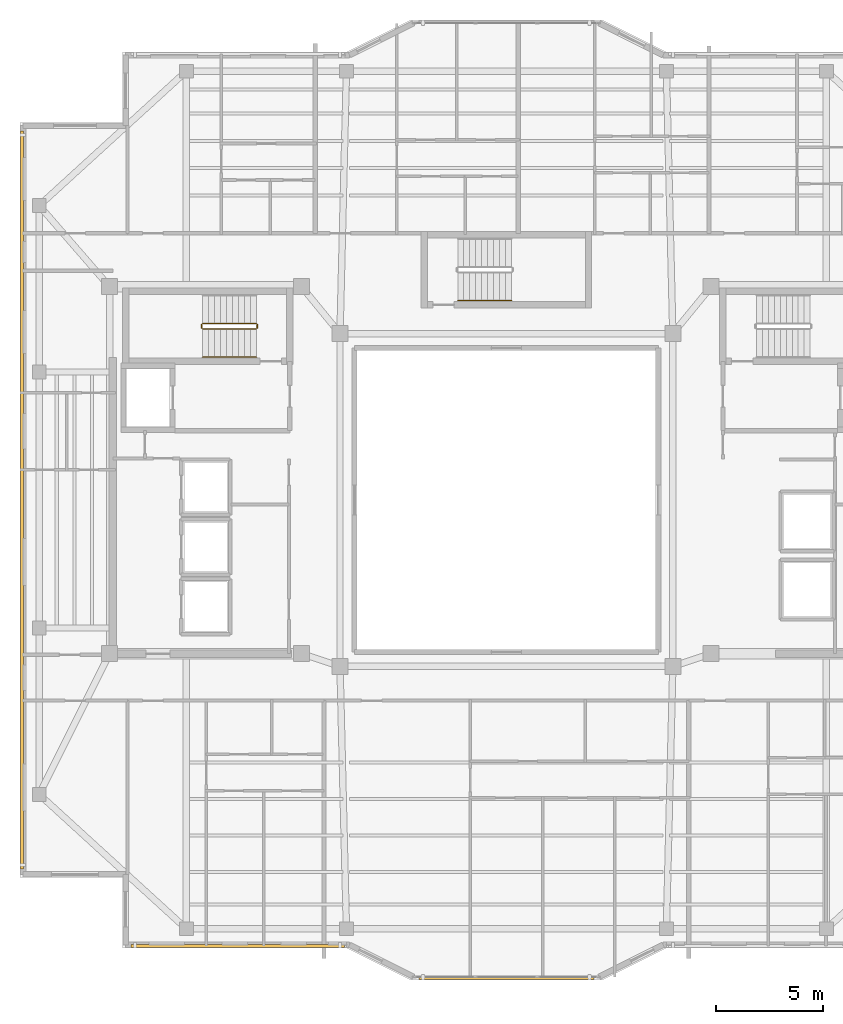
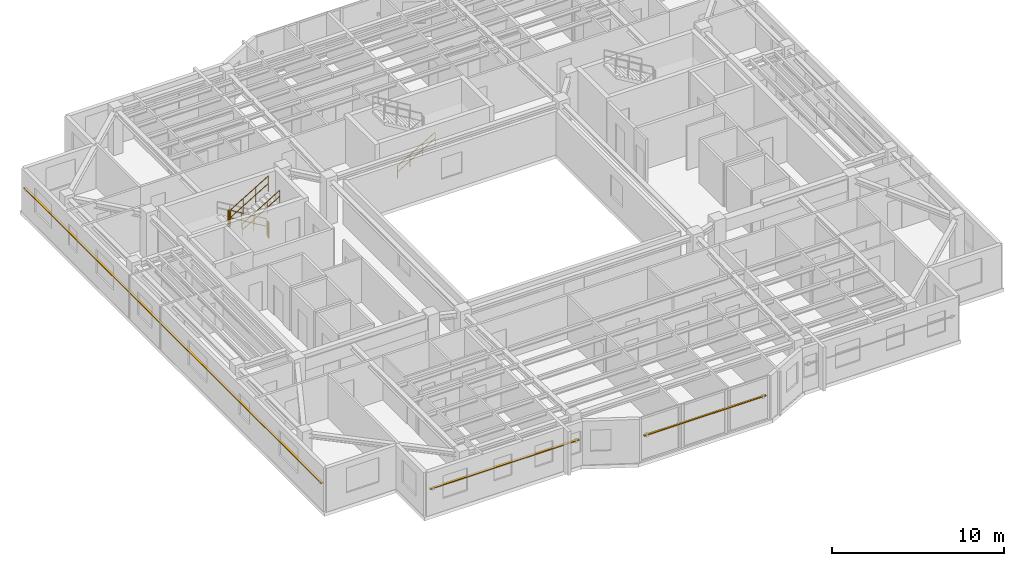
# One storey, part 13 of 15: 6 railings, 3 shading devices.
"""IFC4 building model written with IfcOpenShell, lengths in metres."""

from ifc_helpers import new_model, si_unit, direction, frame, origin, origin_2d, place, context, subcontext, project, spatial, rectangle, circle, extrude, material, material_profile, profile_set, type_object, element, save


model = new_model("IFC4")

# Units and contexts
model_context = context("Model", 3, precision=1e-05, world=origin(), true_north=direction((0.0, 1.0)))
body_context = subcontext(model_context, "Body", "Model", "MODEL_VIEW")
ifc_project = project(units=[si_unit("LENGTHUNIT", "METRE"), si_unit("AREAUNIT", "SQUARE_METRE"), si_unit("VOLUMEUNIT", "CUBIC_METRE"), si_unit("PLANEANGLEUNIT", "RADIAN"), si_unit("MASSUNIT", "GRAM", prefix="KILO")], contexts=[model_context])

# Site, building, storey
site_placement = place(None, origin())
site = spatial("IfcSite", under=ifc_project, at=site_placement, CompositionType="ELEMENT")
building_placement = place(site_placement, origin())
building = spatial("IfcBuilding", under=site, at=building_placement, Name="Tarnavaz Court Tower", CompositionType="ELEMENT")
storey_placement = place(building_placement, frame((0.0, 0.0, 244.85009765625)))
storey = spatial("IfcBuildingStorey", under=building, at=storey_placement, Name="L66", CompositionType="ELEMENT", Elevation=244.85009765625)

# Railings
ifc_material_1 = material(Name="Brushed Stainless Steel", Category="steel")
railing_type_1 = type_object("IfcRailingType", Name="RL-HANDRAIL-900", PredefinedType="HANDRAIL", material=ifc_material_1)
railing_1_placement = place(storey_placement, frame((-14.239990234375, 6.699951171875, 1.84228515625)))
element("IfcRailing", 1, at=railing_1_placement, inside=storey, type_object=railing_type_1, Name="L66 ST-W1 stair handrail 2", PredefinedType="HANDRAIL", context=body_context, shape_type="SweptSolid", body=[
    extrude(circle(Radius=0.02392578125, at=origin_2d()), frame((0.0, 0.0, 0.8759765625), z_axis=(0.858159760407, 0.0, 0.513382728203), x_axis=(0.0, 1.0, 0.0)), (0.0, 0.0, 1.0), 2.9365234375),
    extrude(circle(Radius=0.02392578125, at=origin_2d()), frame((0.0, 0.0, 0.449951171875), z_axis=(0.858159760407, 0.0, 0.513382728203), x_axis=(0.0, 1.0, 0.0)), (0.0, 0.0, 1.0), 2.9365234375),
    extrude(circle(Radius=0.02099609375, at=origin_2d()), origin(), (0.0, 0.0, 1.0), 0.851806640625),
    extrude(circle(Radius=0.02099609375, at=origin_2d()), frame((0.840087890625, 0.0, 0.50244140625)), (0.0, 0.0, 1.0), 0.851806640625),
    extrude(circle(Radius=0.02099609375, at=origin_2d()), frame((1.679931640625, 0.0, 1.005126953125)), (0.0, 0.0, 1.0), 0.851806640625),
    extrude(circle(Radius=0.02099609375, at=origin_2d()), frame((2.52001953125, 0.0, 1.507568359375)), (0.0, 0.0, 1.0), 0.851806640625),
])
railing_2_placement = place(storey_placement, frame((-2.280029296875, 9.35009765625, 0.16748046875)))
element("IfcRailing", 2, at=railing_2_placement, inside=storey, type_object=railing_type_1, Name="L66 ST-N1 stair handrail 1", PredefinedType="HANDRAIL", context=body_context, shape_type="SweptSolid", body=[
    extrude(circle(Radius=0.02392578125, at=origin_2d()), frame((0.0, 0.0, 0.8759765625), z_axis=(0.858196387827, 0.0, 0.513321497621), x_axis=(0.0, 1.0, 0.0)), (0.0, 0.0, 1.0), 2.9365234375),
    extrude(circle(Radius=0.02392578125, at=origin_2d()), frame((0.0, 0.0, 0.449951171875), z_axis=(0.858196387827, 0.0, 0.513321497621), x_axis=(0.0, 1.0, 0.0)), (0.0, 0.0, 1.0), 2.9365234375),
    extrude(circle(Radius=0.02099609375, at=origin_2d()), origin(), (0.0, 0.0, 1.0), 0.851806640625),
    extrude(circle(Radius=0.02099609375, at=origin_2d()), frame((0.840087890625, 0.0, 0.50244140625)), (0.0, 0.0, 1.0), 0.851806640625),
    extrude(circle(Radius=0.02099609375, at=origin_2d()), frame((1.679931640625, 0.0, 1.0048828125)), (0.0, 0.0, 1.0), 0.851806640625),
    extrude(circle(Radius=0.02099609375, at=origin_2d()), frame((2.52001953125, 0.0, 1.50732421875)), (0.0, 0.0, 1.0), 0.851806640625),
])
ifc_material_2 = material(Name="Galvanized Painted Tubular Steel", Category="steel")
railing_type_2 = type_object("IfcRailingType", Name="RL-STGUARD-1120", PredefinedType="GUARDRAIL", material=ifc_material_2)
railing_3_placement = place(storey_placement, frame((-11.719970703125, 8.27001953125, 0.16748046875)))
element("IfcRailing", 3, at=railing_3_placement, inside=storey, type_object=railing_type_2, Name="L66 ST-W1 stair guard 1", PredefinedType="GUARDRAIL", context=body_context, shape_type="SweptSolid", body=[
    extrude(circle(Radius=0.02392578125, at=origin_2d()), frame((0.0, 0.0, 1.09619140625), z_axis=(-0.858196387827, 0.0, 0.513321497621), x_axis=(0.0, -1.0, 0.0)), (0.0, 0.0, 1.0), 2.9365234375),
    extrude(circle(Radius=0.02392578125, at=origin_2d()), frame((0.0, 0.0, 0.56005859375), z_axis=(-0.858196387827, 0.0, 0.513321497621), x_axis=(0.0, -1.0, 0.0)), (0.0, 0.0, 1.0), 2.9365234375),
    extrude(circle(Radius=0.02099609375, at=origin_2d()), origin(), (0.0, 0.0, 1.0), 1.072021484375),
    extrude(circle(Radius=0.02099609375, at=origin_2d()), frame((-0.840087890625, 0.0, 0.50244140625)), (0.0, 0.0, 1.0), 1.072021484375),
    extrude(circle(Radius=0.02099609375, at=origin_2d()), frame((-1.679931640625, 0.0, 1.0048828125)), (0.0, 0.0, 1.0), 1.072021484375),
    extrude(circle(Radius=0.02099609375, at=origin_2d()), frame((-2.52001953125, 0.0, 1.50732421875)), (0.0, 0.0, 1.0), 1.072021484375),
])
railing_4_placement = place(storey_placement, frame((-14.2900390625, 8.219970703125, 1.6748046875)))
element("IfcRailing", 4, at=railing_4_placement, inside=storey, type_object=railing_type_2, Name="L66 ST-W1 stair guard 2", PredefinedType="GUARDRAIL", context=body_context, shape_type="SweptSolid", body=[
    extrude(circle(Radius=0.02392578125, at=origin_2d()), frame((0.0, 0.0, 1.09619140625), z_axis=(0.0, -1.0, 0.0), x_axis=(1.0, 0.0, 0.0)), (0.0, 0.0, 1.0), 0.14990234375),
    extrude(circle(Radius=0.02392578125, at=origin_2d()), frame((0.0, 0.0, 0.56005859375), z_axis=(0.0, -1.0, 0.0), x_axis=(1.0, 0.0, 0.0)), (0.0, 0.0, 1.0), 0.14990234375),
    extrude(circle(Radius=0.02099609375, at=origin_2d()), origin(), (0.0, 0.0, 1.0), 1.072021484375),
    extrude(circle(Radius=0.02099609375, at=origin_2d()), frame((0.0, -0.14990234375, 0.0)), (0.0, 0.0, 1.0), 1.072021484375),
])
railing_5_placement = place(storey_placement, frame((-14.239990234375, 8.02001953125, 1.84228515625)))
element("IfcRailing", 5, at=railing_5_placement, inside=storey, type_object=railing_type_2, Name="L66 ST-W1 stair guard 3", PredefinedType="GUARDRAIL", context=body_context, shape_type="SweptSolid", body=[
    extrude(circle(Radius=0.02392578125, at=origin_2d()), frame((0.0, 0.0, 1.09619140625), z_axis=(0.858159760407, 0.0, 0.513382728203), x_axis=(0.0, 1.0, 0.0)), (0.0, 0.0, 1.0), 2.9365234375),
    extrude(circle(Radius=0.02392578125, at=origin_2d()), frame((0.0, 0.0, 0.56005859375), z_axis=(0.858159760407, 0.0, 0.513382728203), x_axis=(0.0, 1.0, 0.0)), (0.0, 0.0, 1.0), 2.9365234375),
    extrude(circle(Radius=0.02099609375, at=origin_2d()), origin(), (0.0, 0.0, 1.0), 1.072021484375),
    extrude(circle(Radius=0.02099609375, at=origin_2d()), frame((0.840087890625, 0.0, 0.50244140625)), (0.0, 0.0, 1.0), 1.072021484375),
    extrude(circle(Radius=0.02099609375, at=origin_2d()), frame((1.679931640625, 0.0, 1.005126953125)), (0.0, 0.0, 1.0), 1.072021484375),
    extrude(circle(Radius=0.02099609375, at=origin_2d()), frame((2.52001953125, 0.0, 1.507568359375)), (0.0, 0.0, 1.0), 1.072021484375),
])
railing_6_placement = place(storey_placement, frame((-11.669921875, 8.219970703125, 0.0)))
element("IfcRailing", 6, at=railing_6_placement, inside=storey, type_object=railing_type_2, Name="L66 ST-W1 stair guard 4", PredefinedType="GUARDRAIL", context=body_context, shape_type="SweptSolid", body=[
    extrude(circle(Radius=0.02392578125, at=origin_2d()), frame((0.0, 0.0, 1.09619140625), z_axis=(0.0, -1.0, 0.0), x_axis=(1.0, 0.0, 0.0)), (0.0, 0.0, 1.0), 0.14990234375),
    extrude(circle(Radius=0.02392578125, at=origin_2d()), frame((0.0, 0.0, 0.56005859375), z_axis=(0.0, -1.0, 0.0), x_axis=(1.0, 0.0, 0.0)), (0.0, 0.0, 1.0), 0.14990234375),
    extrude(circle(Radius=0.02099609375, at=origin_2d()), origin(), (0.0, 0.0, 1.0), 1.072021484375),
    extrude(circle(Radius=0.02099609375, at=origin_2d()), frame((0.0, -0.14990234375, 0.0)), (0.0, 0.0, 1.0), 1.072021484375),
])

# Shading devices
ifc_material_3 = material(Name="Kiln-Fired Khorasan Terracotta Ceramic", Category="masonry")
ifc_material_profile_1 = material_profile(ifc_material_3, rectangle(XDim=0.1201171875, YDim=0.06005859375, at=origin_2d()), Name="TC BAGUETTE 120X60")
ifc_profile_set_1 = profile_set([ifc_material_profile_1], Name="Kiln-Fired Khorasan Terracotta Ceramic")
shading_device_type_1 = type_object("IfcShadingDeviceType", Name="SD-BAG-120", PredefinedType="USERDEFINED", material=ifc_profile_set_1)
shading_device_1_placement = place(storey_placement, frame((4.10009765625, -22.409912109375, 1.7998046875), z_axis=(-1.0, 0.0, 0.0), x_axis=(0.0, -1.0, 0.0)))
element("IfcShadingDevice", 7, at=shading_device_1_placement, inside=storey, type_object=shading_device_type_1, Name="L66 Terracotta Baguette Screen PBG17", ObjectType="BAGUETTE", PredefinedType="USERDEFINED", context=body_context, shape_type="SweptSolid", body=[
    extrude(rectangle(XDim=0.1201171875, YDim=0.06005859375, at=origin_2d()), origin(), (0.0, 0.0, 1.0), 8.2001953125),
])
ifc_material_profile_2 = material_profile(ifc_material_3, rectangle(XDim=0.14990234375, YDim=0.06494140625, at=origin_2d()), Name="TC BAGUETTE 150X65")
ifc_profile_set_2 = profile_set([ifc_material_profile_2], Name="Kiln-Fired Khorasan Terracotta Ceramic")
shading_device_type_2 = type_object("IfcShadingDeviceType", Name="SD-BAG-150", PredefinedType="USERDEFINED", material=ifc_profile_set_2)
shading_device_2_placement = place(storey_placement, frame((-22.7099609375, -17.300048828125, 1.849853515625), z_axis=(0.0, 1.0, 0.0), x_axis=(-1.0, 0.0, 0.0)))
element("IfcShadingDevice", 8, at=shading_device_2_placement, inside=storey, type_object=shading_device_type_2, Name="L66 Terracotta Baguette Screen FBG02", ObjectType="BAGUETTE", PredefinedType="USERDEFINED", context=body_context, shape_type="SweptSolid", body=[
    extrude(rectangle(XDim=0.14990234375, YDim=0.06494140625, at=origin_2d()), origin(), (0.0, 0.0, 1.0), 34.60009765625),
])
shading_device_3_placement = place(storey_placement, frame((-7.60009765625, -20.909912109375, 1.849853515625), z_axis=(-1.0, 0.0, 0.0), x_axis=(0.0, -1.0, 0.0)))
element("IfcShadingDevice", 9, at=shading_device_3_placement, inside=storey, type_object=shading_device_type_2, Name="L66 Terracotta Baguette Screen FBG19", ObjectType="BAGUETTE", PredefinedType="USERDEFINED", context=body_context, shape_type="SweptSolid", body=[
    extrude(rectangle(XDim=0.14990234375, YDim=0.06494140625, at=origin_2d()), origin(), (0.0, 0.0, 1.0), 10.0),
])

save(model, "model.ifc")
